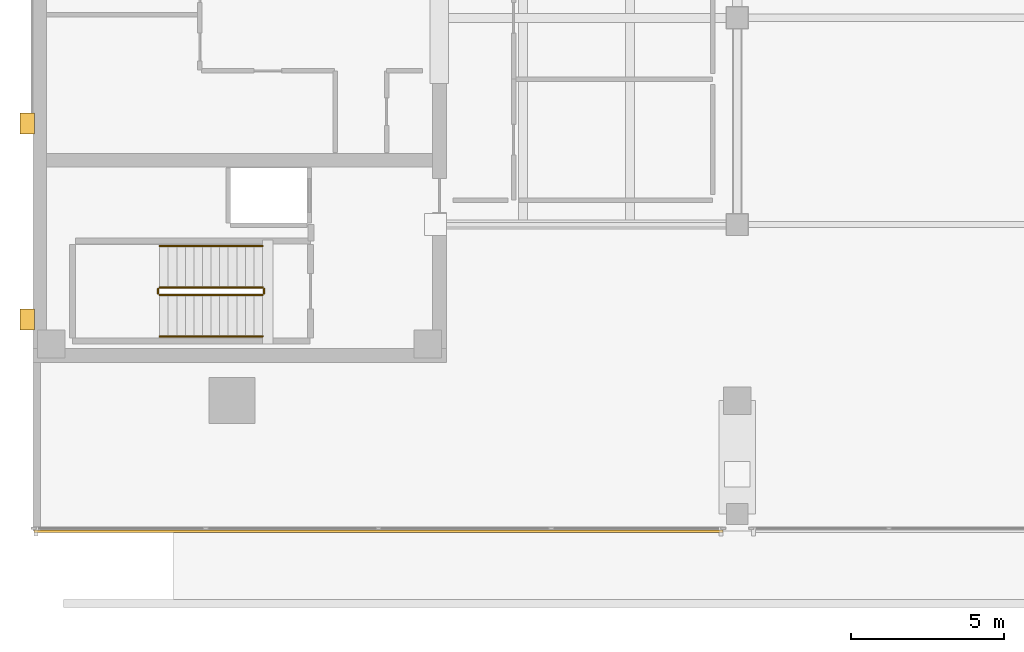
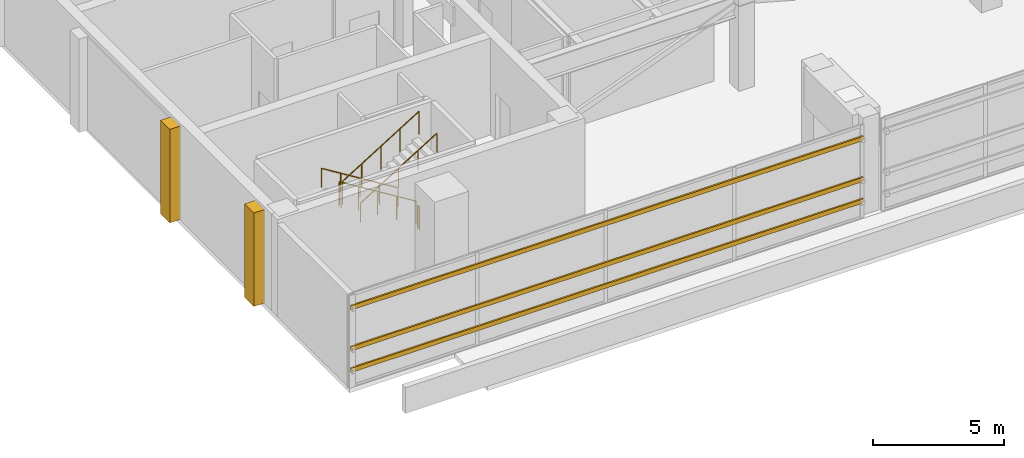
# One storey, part 10 of 13: 6 railings, 3 shading devices, 2 coverings.
"""IFC4 building model written with IfcOpenShell, lengths in metres."""

from ifc_helpers import new_model, si_unit, direction, frame, origin, origin_2d, place, context, subcontext, project, spatial, polyline, rectangle, circle, outline, extrude, material, layer, layer_set, material_profile, profile_set, type_object, element, save


model = new_model("IFC4")

# Units and contexts
model_context = context("Model", 3, precision=1e-05, world=origin(), true_north=direction((0.0, 1.0)))
body_context = subcontext(model_context, "Body", "Model", "MODEL_VIEW")
ifc_project = project(units=[si_unit("LENGTHUNIT", "METRE"), si_unit("AREAUNIT", "SQUARE_METRE"), si_unit("VOLUMEUNIT", "CUBIC_METRE"), si_unit("PLANEANGLEUNIT", "RADIAN"), si_unit("MASSUNIT", "GRAM", prefix="KILO")], contexts=[model_context])

# Site, building, storey
site_placement = place(None, origin())
site = spatial("IfcSite", under=ifc_project, at=site_placement, CompositionType="ELEMENT")
building_placement = place(site_placement, origin())
building = spatial("IfcBuilding", under=site, at=building_placement, Name="Kinhvarn Gate Tower", CompositionType="ELEMENT")
storey_placement = place(building_placement, frame((0.0, 0.0, 303.050048828125)))
storey = spatial("IfcBuildingStorey", under=building, at=storey_placement, Name="L80", CompositionType="ELEMENT", Elevation=303.050048828125)

# Coverings
ifc_material_1 = material(Name="Precast white architectural concrete C40/50", Category="concrete")
ifc_layer = layer(ifc_material_1, 0.47998046875)
ifc_layer_set = layer_set([ifc_layer], Name="Precast white architectural concrete C40/50")
covering_type = type_object("IfcCoveringType", Name="COV-RIB-450", PredefinedType="CLADDING", material=ifc_layer_set)
covering_1_placement = place(storey_placement, frame((0.0, 0.0, -0.02001953125)))
element("IfcCovering", 1, at=covering_1_placement, inside=storey, type_object=covering_type, Name="West Core Sculptural Concrete Relief Rib CRB-450 (L80)", PredefinedType="CLADDING", context=body_context, shape_type="SweptSolid", body=[
    extrude(outline(polyline([(4.080078125, 15.050048828125), (4.56005859375, 15.050048828125), (4.56005859375, 15.75), (4.080078125, 15.75), (4.080078125, 15.050048828125)])), origin(), (0.0, 0.0, 1.0), 4.340087890625),
])
covering_2_placement = place(storey_placement, frame((0.0, 0.0, -0.02001953125)))
element("IfcCovering", 2, at=covering_2_placement, inside=storey, type_object=covering_type, Name="West Core Sculptural Concrete Relief Rib CRB-450 (L80)", PredefinedType="CLADDING", context=body_context, shape_type="SweptSolid", body=[
    extrude(outline(polyline([(4.080078125, 21.449951171875), (4.56005859375, 21.449951171875), (4.56005859375, 22.14990234375), (4.080078125, 22.14990234375), (4.080078125, 21.449951171875)])), origin(), (0.0, 0.0, 1.0), 4.340087890625),
])

# Railings
ifc_material_2 = material(Name="Steel S355", Category="steel")
railing_type_1 = type_object("IfcRailingType", Name="RL-ST-GRD", PredefinedType="BALUSTRADE", material=ifc_material_2)
railing_1_placement = place(storey_placement, frame((12.0, 16.449951171875, 0.173095703125)))
element("IfcRailing", 3, at=railing_1_placement, inside=storey, type_object=railing_type_1, Name="L80 ST1 stair guard 1", PredefinedType="BALUSTRADE", context=body_context, shape_type="SweptSolid", body=[
    extrude(circle(Radius=0.02392578125, at=origin_2d()), frame((0.0, 0.0, 1.076171875), z_axis=(-0.850623216509, 0.0, 0.525775754039), x_axis=(0.0, -1.0, 0.0)), (0.0, 0.0, 1.0), 3.9501953125),
    extrude(circle(Radius=0.02099609375, at=origin_2d()), origin(), (0.0, 0.0, 1.0), 1.052001953125),
    extrude(circle(Radius=0.02099609375, at=origin_2d()), frame((-0.840087890625, 0.0, 0.519287109375)), (0.0, 0.0, 1.0), 1.052001953125),
    extrude(circle(Radius=0.02099609375, at=origin_2d()), frame((-1.68017578125, 0.0, 1.03857421875)), (0.0, 0.0, 1.0), 1.052001953125),
    extrude(circle(Radius=0.02099609375, at=origin_2d()), frame((-2.52001953125, 0.0, 1.5576171875)), (0.0, 0.0, 1.0), 1.052001953125),
    extrude(circle(Radius=0.02099609375, at=origin_2d()), frame((-3.360107421875, 0.0, 2.076904296875)), (0.0, 0.0, 1.0), 1.052001953125),
])
railing_2_placement = place(storey_placement, frame((8.590087890625, 16.39990234375, 2.25)))
element("IfcRailing", 4, at=railing_2_placement, inside=storey, type_object=railing_type_1, Name="L80 ST1 stair guard 2", PredefinedType="BALUSTRADE", context=body_context, shape_type="SweptSolid", body=[
    extrude(circle(Radius=0.02392578125, at=origin_2d()), frame((0.0, 0.0, 1.076171875), z_axis=(0.0, -1.0, 0.0), x_axis=(1.0, 0.0, 0.0)), (0.0, 0.0, 1.0), 0.14990234375),
    extrude(circle(Radius=0.02099609375, at=origin_2d()), origin(), (0.0, 0.0, 1.0), 1.052001953125),
    extrude(circle(Radius=0.02099609375, at=origin_2d()), frame((0.0, -0.14990234375, 0.0)), (0.0, 0.0, 1.0), 1.052001953125),
])
railing_3_placement = place(storey_placement, frame((8.639892578125, 16.199951171875, 2.423095703125)))
element("IfcRailing", 5, at=railing_3_placement, inside=storey, type_object=railing_type_1, Name="L80 ST1 stair guard 3", PredefinedType="BALUSTRADE", context=body_context, shape_type="SweptSolid", body=[
    extrude(circle(Radius=0.02392578125, at=origin_2d()), frame((0.0, 0.0, 1.076171875), z_axis=(0.850623216509, 0.0, 0.525775754039), x_axis=(0.0, 1.0, 0.0)), (0.0, 0.0, 1.0), 3.9501953125),
    extrude(circle(Radius=0.02099609375, at=origin_2d()), origin(), (0.0, 0.0, 1.0), 1.052001953125),
    extrude(circle(Radius=0.02099609375, at=origin_2d()), frame((0.840087890625, 0.0, 0.519287109375)), (0.0, 0.0, 1.0), 1.052001953125),
    extrude(circle(Radius=0.02099609375, at=origin_2d()), frame((1.68017578125, 0.0, 1.03857421875)), (0.0, 0.0, 1.0), 1.052001953125),
    extrude(circle(Radius=0.02099609375, at=origin_2d()), frame((2.52001953125, 0.0, 1.5576171875)), (0.0, 0.0, 1.0), 1.052001953125),
    extrude(circle(Radius=0.02099609375, at=origin_2d()), frame((3.360107421875, 0.0, 2.076904296875)), (0.0, 0.0, 1.0), 1.052001953125),
])
railing_4_placement = place(storey_placement, frame((12.050048828125, 16.39990234375, 0.0)))
element("IfcRailing", 6, at=railing_4_placement, inside=storey, type_object=railing_type_1, Name="L80 ST1 stair guard 4", PredefinedType="BALUSTRADE", context=body_context, shape_type="SweptSolid", body=[
    extrude(circle(Radius=0.02392578125, at=origin_2d()), frame((0.0, 0.0, 1.076171875), z_axis=(0.0, -1.0, 0.0), x_axis=(1.0, 0.0, 0.0)), (0.0, 0.0, 1.0), 0.14990234375),
    extrude(circle(Radius=0.02099609375, at=origin_2d()), origin(), (0.0, 0.0, 1.0), 1.052001953125),
    extrude(circle(Radius=0.02099609375, at=origin_2d()), frame((0.0, -0.14990234375, 0.0)), (0.0, 0.0, 1.0), 1.052001953125),
])
railing_type_2 = type_object("IfcRailingType", Name="RL-ST-HND", PredefinedType="HANDRAIL", material=ifc_material_2)
railing_5_placement = place(storey_placement, frame((12.0, 17.800048828125, 0.173095703125)))
element("IfcRailing", 7, at=railing_5_placement, inside=storey, type_object=railing_type_2, Name="L80 ST1 stair handrail 1", PredefinedType="HANDRAIL", context=body_context, shape_type="SweptSolid", body=[
    extrude(circle(Radius=0.02392578125, at=origin_2d()), frame((0.0, 0.0, 0.8759765625), z_axis=(-0.850623216509, 0.0, 0.525775754039), x_axis=(0.0, -1.0, 0.0)), (0.0, 0.0, 1.0), 3.9501953125),
    extrude(circle(Radius=0.02099609375, at=origin_2d()), origin(), (0.0, 0.0, 1.0), 0.851806640625),
    extrude(circle(Radius=0.02099609375, at=origin_2d()), frame((-0.840087890625, 0.0, 0.519287109375)), (0.0, 0.0, 1.0), 0.851806640625),
    extrude(circle(Radius=0.02099609375, at=origin_2d()), frame((-1.68017578125, 0.0, 1.03857421875)), (0.0, 0.0, 1.0), 0.851806640625),
    extrude(circle(Radius=0.02099609375, at=origin_2d()), frame((-2.52001953125, 0.0, 1.5576171875)), (0.0, 0.0, 1.0), 0.851806640625),
    extrude(circle(Radius=0.02099609375, at=origin_2d()), frame((-3.360107421875, 0.0, 2.076904296875)), (0.0, 0.0, 1.0), 0.851806640625),
])
railing_6_placement = place(storey_placement, frame((8.639892578125, 14.85009765625, 2.423095703125)))
element("IfcRailing", 8, at=railing_6_placement, inside=storey, type_object=railing_type_2, Name="L80 ST1 stair handrail 2", PredefinedType="HANDRAIL", context=body_context, shape_type="SweptSolid", body=[
    extrude(circle(Radius=0.02392578125, at=origin_2d()), frame((0.0, 0.0, 0.8759765625), z_axis=(0.850623216509, 0.0, 0.525775754039), x_axis=(0.0, 1.0, 0.0)), (0.0, 0.0, 1.0), 3.9501953125),
    extrude(circle(Radius=0.02099609375, at=origin_2d()), origin(), (0.0, 0.0, 1.0), 0.851806640625),
    extrude(circle(Radius=0.02099609375, at=origin_2d()), frame((0.840087890625, 0.0, 0.519287109375)), (0.0, 0.0, 1.0), 0.851806640625),
    extrude(circle(Radius=0.02099609375, at=origin_2d()), frame((1.68017578125, 0.0, 1.03857421875)), (0.0, 0.0, 1.0), 0.851806640625),
    extrude(circle(Radius=0.02099609375, at=origin_2d()), frame((2.52001953125, 0.0, 1.5576171875)), (0.0, 0.0, 1.0), 0.851806640625),
    extrude(circle(Radius=0.02099609375, at=origin_2d()), frame((3.360107421875, 0.0, 2.076904296875)), (0.0, 0.0, 1.0), 0.851806640625),
])

# Shading devices
ifc_material_3 = material(Name="Anodised aluminium AW-6063", Category="aluminium")
ifc_material_profile = material_profile(ifc_material_3, rectangle(XDim=0.074951171875, YDim=0.199951171875, at=origin_2d()), Name="LOUVRE 75x200")
ifc_profile_set = profile_set([ifc_material_profile], Name="Anodised aluminium AW-6063")
shading_device_type = type_object("IfcShadingDeviceType", Name="SHD-LVR-200", PredefinedType="JALOUSIE", material=ifc_profile_set)
for number, where, z_axis, x_axis, name in (
    (9, (4.5400390625, 8.487548828125, 0.849853515625), (1.0, 0.0, 0.0), (0.0, 1.0, 0.0), "Anodised Aluminium Acoustic Plant Louvre Blade 75x200 mm (L80)"),
    (10, (4.5400390625, 8.487548828125, 1.849853515625), (1.0, 0.0, 0.0), (0.0, 1.0, 0.0), "Anodised Aluminium Acoustic Plant Louvre Blade 75x200 mm (L80)"),
    (11, (4.5400390625, 8.487548828125, 3.75), (1.0, 0.0, 0.0), (0.0, 1.0, 0.0), "Anodised Aluminium Acoustic Plant Louvre Blade 75x200 mm (L80)"),
):
    element("IfcShadingDevice", number, at=place(storey_placement, frame(where, z_axis=z_axis, x_axis=x_axis)), inside=storey, type_object=shading_device_type, Name=name, PredefinedType="JALOUSIE", context=body_context, shape_type="SweptSolid", body=[
        extrude(rectangle(XDim=0.074951171875, YDim=0.199951171875, at=origin_2d()), origin(), (0.0, 0.0, 1.0), 22.489990234375),
    ])

save(model, "model.ifc")
